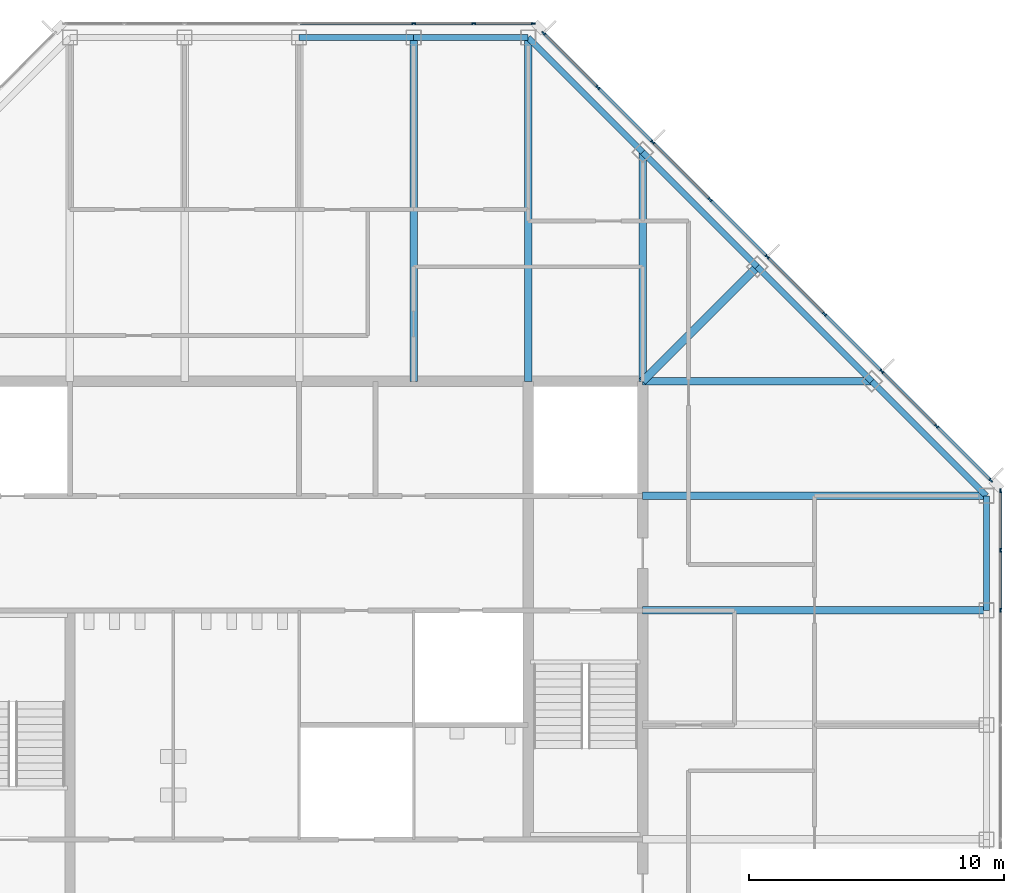
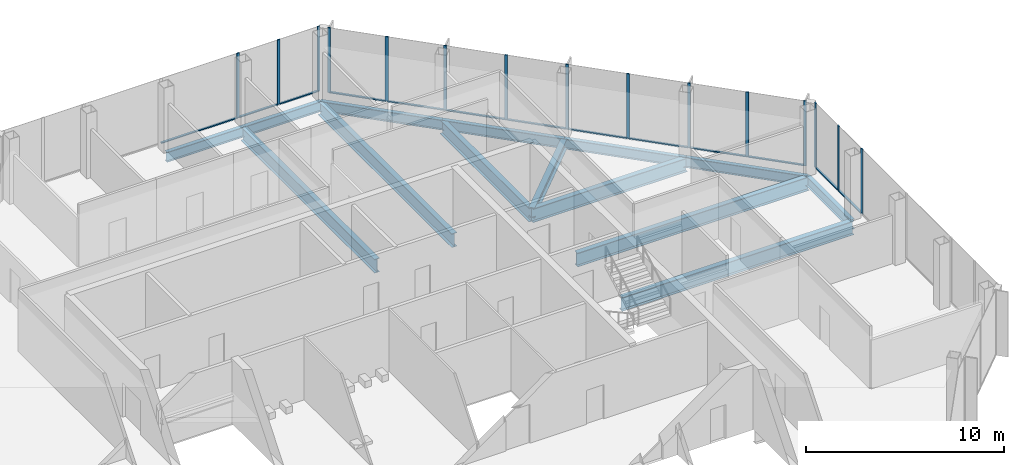
# One storey, part 7 of 14: 28 members, 14 beams, 3 elements without a shape of their own.
"""IFC4 building model written with IfcOpenShell, lengths in metres."""

from ifc_helpers import new_model, si_unit, direction, frame, origin, origin_2d, place, context, subcontext, project, spatial, rectangle, i_section, extrude, material, material_profile, profile_set, type_object, element, aggregate, save


model = new_model("IFC4")

# Units and contexts
model_context = context("Model", 3, precision=1e-05, world=origin(), true_north=direction((0.0, 1.0)))
body_context = subcontext(model_context, "Body", "Model", "MODEL_VIEW")
ifc_project = project(units=[si_unit("LENGTHUNIT", "METRE"), si_unit("AREAUNIT", "SQUARE_METRE"), si_unit("VOLUMEUNIT", "CUBIC_METRE"), si_unit("PLANEANGLEUNIT", "RADIAN"), si_unit("MASSUNIT", "GRAM", prefix="KILO")], contexts=[model_context])

# Site, building, storey
site_placement = place(None, origin())
site = spatial("IfcSite", under=ifc_project, at=site_placement, CompositionType="ELEMENT")
building_placement = place(site_placement, origin())
building = spatial("IfcBuilding", under=site, at=building_placement, Name="Corais Broadcast Tower", CompositionType="ELEMENT")
storey_placement = place(building_placement, frame((0.0, 0.0, 286.60009765625)))
storey = spatial("IfcBuildingStorey", under=building, at=storey_placement, Name="L67", CompositionType="ELEMENT", Elevation=286.60009765625)

# Beams
ifc_material_1 = material(Name="Steel ASTM A572 Grade 50", Category="steel")
ifc_material_profile_1 = material_profile(ifc_material_1, i_section(OverallWidth=0.323974609375, OverallDepth=0.611083984375, WebThickness=0.0126953125, FlangeThickness=0.01904296875, at=origin_2d()), Name="W610x155")
ifc_profile_set_1 = profile_set([ifc_material_profile_1], Name="Steel ASTM A572 Grade 50")
beam_type_1 = type_object("IfcBeamType", Name="Corner diagonal W610x155", PredefinedType="BEAM", material=ifc_profile_set_1)
beam_1_placement = place(storey_placement, frame((45.0, 45.0, -0.465576171875), z_axis=(-0.707106781187, -0.707106781187, 0.0), x_axis=(0.707106781187, -0.707106781187, 0.0)))
element("IfcBeam", 1, at=beam_1_placement, inside=storey, type_object=beam_type_1, Name="B6 L/13 to K/12", PredefinedType="BEAM", context=body_context, shape_type="SweptSolid", body=[
    extrude(i_section(OverallWidth=0.323974609375, OverallDepth=0.611083984375, WebThickness=0.0126953125, FlangeThickness=0.01904296875, at=origin_2d()), origin(), (0.0, 0.0, 1.0), 6.364013671875),
])
ifc_material_2 = material(Name="Steel ASTM A572 Grade 50", Category="steel")
ifc_material_profile_2 = material_profile(ifc_material_2, i_section(OverallWidth=0.2939453125, OverallDepth=0.85107421875, WebThickness=0.01611328125, FlangeThickness=0.02685546875, at=origin_2d()), Name="W840x226")
ifc_profile_set_2 = profile_set([ifc_material_profile_2], Name="Steel ASTM A572 Grade 50")
beam_type_2 = type_object("IfcBeamType", Name="Floor beam W840x226", PredefinedType="BEAM", material=ifc_profile_set_2)
for number, where, z_axis, x_axis, name in (
    (2, (31.5, 54.0, -0.585693359375), (0.0, -1.0, 0.0), (1.0, 0.0, 0.0), "B1 N/10 to K/10"),
    (3, (36.0, 54.0, -0.585693359375), (0.0, -1.0, 0.0), (1.0, 0.0, 0.0), "B1 N/11 to K/11"),
):
    element("IfcBeam", number, at=place(storey_placement, frame(where, z_axis=z_axis, x_axis=x_axis)), inside=storey, type_object=beam_type_2, Name=name, PredefinedType="BEAM", context=body_context, shape_type="SweptSolid", body=[
        extrude(i_section(OverallWidth=0.2939453125, OverallDepth=0.85107421875, WebThickness=0.01611328125, FlangeThickness=0.02685546875, at=origin_2d()), origin(), (0.0, 0.0, 1.0), 13.5),
    ])
for number, where, z_axis, x_axis, name in (
    (4, (40.5, 49.5, -0.585693359375), (0.0, -1.0, 0.0), (1.0, 0.0, 0.0), "B1 M/12 to K/12"),
    (5, (49.5, 40.5, -0.585693359375), (-1.0, 0.0, 0.0), (0.0, -1.0, 0.0), "B1 K/14 to K/12"),
):
    element("IfcBeam", number, at=place(storey_placement, frame(where, z_axis=z_axis, x_axis=x_axis)), inside=storey, type_object=beam_type_2, Name=name, PredefinedType="BEAM", context=body_context, shape_type="SweptSolid", body=[
        extrude(i_section(OverallWidth=0.2939453125, OverallDepth=0.85107421875, WebThickness=0.01611328125, FlangeThickness=0.02685546875, at=origin_2d()), origin(), (0.0, 0.0, 1.0), 9.0),
    ])
for number, where, z_axis, x_axis, name in (
    (6, (54.0, 31.5, -0.585693359375), (-1.0, 0.0, 0.0), (0.0, -1.0, 0.0), "B1 H/15 to H/12"),
    (7, (54.0, 36.0, -0.585693359375), (-1.0, 0.0, 0.0), (0.0, -1.0, 0.0), "B1 J/15 to J/12"),
):
    element("IfcBeam", number, at=place(storey_placement, frame(where, z_axis=z_axis, x_axis=x_axis)), inside=storey, type_object=beam_type_2, Name=name, PredefinedType="BEAM", context=body_context, shape_type="SweptSolid", body=[
        extrude(i_section(OverallWidth=0.2939453125, OverallDepth=0.85107421875, WebThickness=0.01611328125, FlangeThickness=0.02685546875, at=origin_2d()), origin(), (0.0, 0.0, 1.0), 13.5),
    ])

# Curtain wall, members
ifc_material_3 = material(Name="Aluminium and glass", Category="aluminium")
curtain_wall_type = type_object("IfcCurtainWallType", Name="Unitised fritted curtain wall CW3", PredefinedType="NOTDEFINED", material=ifc_material_3)
curtain_wall_1_placement = place(storey_placement, origin())
curtain_wall_1 = element("IfcCurtainWall", 8, at=curtain_wall_1_placement, inside=storey, type_object=curtain_wall_type, Name="CW3 curtain wall L67 4", PredefinedType="NOTDEFINED")
ifc_material_4 = material(Name="Aluminium 6063-T6", Category="aluminium")
ifc_material_profile_3 = material_profile(ifc_material_4, rectangle(XDim=0.06494140625, YDim=0.159912109375, at=origin_2d()), Name="Mullion CW3 65x160")
ifc_profile_set_3 = profile_set([ifc_material_profile_3], Name="Aluminium 6063-T6")
member_type_1 = type_object("IfcMemberType", Name="Mullion CW3 65x160", PredefinedType="MULLION", material=ifc_profile_set_3)
member_1_placement = place(storey_placement, frame((31.5, 54.550048828125, 0.0), z_axis=(0.0, 0.0, 1.0), x_axis=(0.0, 1.0, 0.0)))
member_1 = element("IfcMember", 9, at=member_1_placement, type_object=member_type_1, Name="CW3 mullion 5", PredefinedType="MULLION", context=body_context, shape_type="SweptSolid", body=[
    extrude(rectangle(XDim=0.06494140625, YDim=0.159912109375, at=origin_2d()), origin(), (0.0, 0.0, 1.0), 4.0),
])
member_2_placement = place(storey_placement, frame((33.864013671875, 54.550048828125, 0.0), z_axis=(0.0, 0.0, 1.0), x_axis=(0.0, 1.0, 0.0)))
member_2 = element("IfcMember", 10, at=member_2_placement, type_object=member_type_1, Name="CW3 mullion 6", PredefinedType="MULLION", context=body_context, shape_type="SweptSolid", body=[
    extrude(rectangle(XDim=0.06494140625, YDim=0.159912109375, at=origin_2d()), origin(), (0.0, 0.0, 1.0), 4.0),
])
member_3_placement = place(storey_placement, frame((36.1953125, 54.550048828125, 0.0), z_axis=(0.0, 0.0, 1.0), x_axis=(0.0, 1.0, 0.0)))
member_3 = element("IfcMember", 11, at=member_3_placement, type_object=member_type_1, Name="CW3 mullion 7", PredefinedType="MULLION", context=body_context, shape_type="SweptSolid", body=[
    extrude(rectangle(XDim=0.06494140625, YDim=0.159912109375, at=origin_2d()), origin(), (0.0, 0.0, 1.0), 4.0),
])

curtain_wall_2_placement = place(storey_placement, origin())
curtain_wall_2 = element("IfcCurtainWall", 12, at=curtain_wall_2_placement, inside=storey, type_object=curtain_wall_type, Name="CW3 curtain wall L67 5", PredefinedType="NOTDEFINED")
member_4_placement = place(storey_placement, frame((36.6044921875, 54.17333984375, 0.0), z_axis=(0.0, 0.0, 1.0), x_axis=(0.707106781187, 0.707106781187, 0.0)))
member_4 = element("IfcMember", 13, at=member_4_placement, type_object=member_type_1, Name="CW3 mullion 1", PredefinedType="MULLION", context=body_context, shape_type="SweptSolid", body=[
    extrude(rectangle(XDim=0.06494140625, YDim=0.159912109375, at=origin_2d()), origin(), (0.0, 0.0, 1.0), 4.0),
])
member_5_placement = place(storey_placement, frame((38.735107421875, 52.042724609375, 0.0), z_axis=(0.0, 0.0, 1.0), x_axis=(0.707106781187, 0.707106781187, 0.0)))
member_5 = element("IfcMember", 14, at=member_5_placement, type_object=member_type_1, Name="CW3 mullion 2", PredefinedType="MULLION", context=body_context, shape_type="SweptSolid", body=[
    extrude(rectangle(XDim=0.06494140625, YDim=0.159912109375, at=origin_2d()), origin(), (0.0, 0.0, 1.0), 4.0),
])
member_6_placement = place(storey_placement, frame((40.888916015625, 49.888916015625, 0.0), z_axis=(0.0, 0.0, 1.0), x_axis=(0.707106781187, 0.707106781187, 0.0)))
member_6 = element("IfcMember", 15, at=member_6_placement, type_object=member_type_1, Name="CW3 mullion 3", PredefinedType="MULLION", context=body_context, shape_type="SweptSolid", body=[
    extrude(rectangle(XDim=0.06494140625, YDim=0.159912109375, at=origin_2d()), origin(), (0.0, 0.0, 1.0), 4.0),
])
member_7_placement = place(storey_placement, frame((43.138916015625, 47.638916015625, 0.0), z_axis=(0.0, 0.0, 1.0), x_axis=(0.707106781187, 0.707106781187, 0.0)))
member_7 = element("IfcMember", 16, at=member_7_placement, type_object=member_type_1, Name="CW3 mullion 4", PredefinedType="MULLION", context=body_context, shape_type="SweptSolid", body=[
    extrude(rectangle(XDim=0.06494140625, YDim=0.159912109375, at=origin_2d()), origin(), (0.0, 0.0, 1.0), 4.0),
])
member_8_placement = place(storey_placement, frame((45.388916015625, 45.388916015625, 0.0), z_axis=(0.0, 0.0, 1.0), x_axis=(0.707106781187, 0.707106781187, 0.0)))
member_8 = element("IfcMember", 17, at=member_8_placement, type_object=member_type_1, Name="CW3 mullion 5", PredefinedType="MULLION", context=body_context, shape_type="SweptSolid", body=[
    extrude(rectangle(XDim=0.06494140625, YDim=0.159912109375, at=origin_2d()), origin(), (0.0, 0.0, 1.0), 4.0),
])
member_9_placement = place(storey_placement, frame((47.638916015625, 43.138916015625, 0.0), z_axis=(0.0, 0.0, 1.0), x_axis=(0.707106781187, 0.707106781187, 0.0)))
member_9 = element("IfcMember", 18, at=member_9_placement, type_object=member_type_1, Name="CW3 mullion 6", PredefinedType="MULLION", context=body_context, shape_type="SweptSolid", body=[
    extrude(rectangle(XDim=0.06494140625, YDim=0.159912109375, at=origin_2d()), origin(), (0.0, 0.0, 1.0), 4.0),
])
member_10_placement = place(storey_placement, frame((49.888916015625, 40.888916015625, 0.0), z_axis=(0.0, 0.0, 1.0), x_axis=(0.707106781187, 0.707106781187, 0.0)))
member_10 = element("IfcMember", 19, at=member_10_placement, type_object=member_type_1, Name="CW3 mullion 7", PredefinedType="MULLION", context=body_context, shape_type="SweptSolid", body=[
    extrude(rectangle(XDim=0.06494140625, YDim=0.159912109375, at=origin_2d()), origin(), (0.0, 0.0, 1.0), 4.0),
])
member_11_placement = place(storey_placement, frame((52.042724609375, 38.735107421875, 0.0), z_axis=(0.0, 0.0, 1.0), x_axis=(0.707106781187, 0.707106781187, 0.0)))
member_11 = element("IfcMember", 20, at=member_11_placement, type_object=member_type_1, Name="CW3 mullion 8", PredefinedType="MULLION", context=body_context, shape_type="SweptSolid", body=[
    extrude(rectangle(XDim=0.06494140625, YDim=0.159912109375, at=origin_2d()), origin(), (0.0, 0.0, 1.0), 4.0),
])
member_12_placement = place(storey_placement, frame((54.17333984375, 36.6044921875, 0.0), z_axis=(0.0, 0.0, 1.0), x_axis=(0.707106781187, 0.707106781187, 0.0)))
member_12 = element("IfcMember", 21, at=member_12_placement, type_object=member_type_1, Name="CW3 mullion 9", PredefinedType="MULLION", context=body_context, shape_type="SweptSolid", body=[
    extrude(rectangle(XDim=0.06494140625, YDim=0.159912109375, at=origin_2d()), origin(), (0.0, 0.0, 1.0), 4.0),
])

curtain_wall_3_placement = place(storey_placement, origin())
curtain_wall_3 = element("IfcCurtainWall", 22, at=curtain_wall_3_placement, inside=storey, type_object=curtain_wall_type, Name="CW3 curtain wall L67 6", PredefinedType="NOTDEFINED")
member_13_placement = place(storey_placement, frame((54.550048828125, 36.1953125, 0.0), z_axis=(0.0, 0.0, 1.0), x_axis=(1.0, 0.0, 0.0)))
member_13 = element("IfcMember", 23, at=member_13_placement, type_object=member_type_1, Name="CW3 mullion 1", PredefinedType="MULLION", context=body_context, shape_type="SweptSolid", body=[
    extrude(rectangle(XDim=0.06494140625, YDim=0.159912109375, at=origin_2d()), origin(), (0.0, 0.0, 1.0), 4.0),
])
member_14_placement = place(storey_placement, frame((54.550048828125, 33.864013671875, 0.0), z_axis=(0.0, 0.0, 1.0), x_axis=(1.0, 0.0, 0.0)))
member_14 = element("IfcMember", 24, at=member_14_placement, type_object=member_type_1, Name="CW3 mullion 2", PredefinedType="MULLION", context=body_context, shape_type="SweptSolid", body=[
    extrude(rectangle(XDim=0.06494140625, YDim=0.159912109375, at=origin_2d()), origin(), (0.0, 0.0, 1.0), 4.0),
])
member_15_placement = place(storey_placement, frame((54.550048828125, 31.5, 0.0), z_axis=(0.0, 0.0, 1.0), x_axis=(1.0, 0.0, 0.0)))
member_15 = element("IfcMember", 25, at=member_15_placement, type_object=member_type_1, Name="CW3 mullion 3", PredefinedType="MULLION", context=body_context, shape_type="SweptSolid", body=[
    extrude(rectangle(XDim=0.06494140625, YDim=0.159912109375, at=origin_2d()), origin(), (0.0, 0.0, 1.0), 4.0),
])

# Beams
ifc_material_5 = material(Name="Steel ASTM A572 Grade 50", Category="steel")
ifc_material_profile_4 = material_profile(ifc_material_5, i_section(OverallWidth=0.22998046875, OverallDepth=0.616943359375, WebThickness=0.01318359375, FlangeThickness=0.022216796875, at=origin_2d()), Name="W610x140")
ifc_profile_set_4 = profile_set([ifc_material_profile_4], Name="Steel ASTM A572 Grade 50")
beam_type_3 = type_object("IfcBeamType", Name="Spandrel W610x140", PredefinedType="BEAM", material=ifc_profile_set_4)
for number, where, z_axis, x_axis, name in (
    (26, (31.5, 54.0, -0.468505859375), (-1.0, 0.0, 0.0), (0.0, -1.0, 0.0), "SB3 N/10 to N/9"),
    (27, (36.0, 54.0, -0.468505859375), (-1.0, 0.0, 0.0), (0.0, -1.0, 0.0), "SB3 N/11 to N/10"),
):
    element("IfcBeam", number, at=place(storey_placement, frame(where, z_axis=z_axis, x_axis=x_axis)), inside=storey, type_object=beam_type_3, Name=name, PredefinedType="BEAM", context=body_context, shape_type="SweptSolid", body=[
        extrude(i_section(OverallWidth=0.22998046875, OverallDepth=0.616943359375, WebThickness=0.01318359375, FlangeThickness=0.022216796875, at=origin_2d()), origin(), (0.0, 0.0, 1.0), 4.5),
    ])
for number, where, z_axis, x_axis, name in (
    (28, (40.5, 49.5, -0.468505859375), (-0.707106781187, 0.707106781187, 0.0), (-0.707106781187, -0.707106781187, 0.0), "SB3 M/12 to N/11"),
    (29, (45.0, 45.0, -0.468505859375), (-0.707106781187, 0.707106781187, 0.0), (-0.707106781187, -0.707106781187, 0.0), "SB3 L/13 to M/12"),
    (30, (49.5, 40.5, -0.468505859375), (-0.707106781187, 0.707106781187, 0.0), (-0.707106781187, -0.707106781187, 0.0), "SB3 K/14 to L/13"),
):
    element("IfcBeam", number, at=place(storey_placement, frame(where, z_axis=z_axis, x_axis=x_axis)), inside=storey, type_object=beam_type_3, Name=name, PredefinedType="BEAM", context=body_context, shape_type="SweptSolid", body=[
        extrude(i_section(OverallWidth=0.22998046875, OverallDepth=0.616943359375, WebThickness=0.01318359375, FlangeThickness=0.022216796875, at=origin_2d()), origin(), (0.0, 0.0, 1.0), 6.364013671875),
    ])
beam_2_placement = place(storey_placement, frame((54.0, 31.5, -0.468505859375), z_axis=(0.0, 1.0, 0.0), x_axis=(-1.0, 0.0, 0.0)))
element("IfcBeam", 31, at=beam_2_placement, inside=storey, type_object=beam_type_3, Name="SB3 H/15 to J/15", PredefinedType="BEAM", context=body_context, shape_type="SweptSolid", body=[
    extrude(i_section(OverallWidth=0.22998046875, OverallDepth=0.616943359375, WebThickness=0.01318359375, FlangeThickness=0.022216796875, at=origin_2d()), origin(), (0.0, 0.0, 1.0), 4.5),
])
beam_3_placement = place(storey_placement, frame((54.0, 36.0, -0.468505859375), z_axis=(-0.707106781187, 0.707106781187, 0.0), x_axis=(-0.707106781187, -0.707106781187, 0.0)))
element("IfcBeam", 32, at=beam_3_placement, inside=storey, type_object=beam_type_3, Name="SB3 J/15 to K/14", PredefinedType="BEAM", context=body_context, shape_type="SweptSolid", body=[
    extrude(i_section(OverallWidth=0.22998046875, OverallDepth=0.616943359375, WebThickness=0.01318359375, FlangeThickness=0.022216796875, at=origin_2d()), origin(), (0.0, 0.0, 1.0), 6.364013671875),
])

# Member
ifc_material_6 = material(Name="Aluminium 6063-T6", Category="aluminium")
ifc_material_profile_5 = material_profile(ifc_material_6, rectangle(XDim=0.1201171875, YDim=0.06494140625, at=origin_2d()), Name="Transom CW3 65x120")
ifc_profile_set_5 = profile_set([ifc_material_profile_5], Name="Aluminium 6063-T6")
member_type_2 = type_object("IfcMemberType", Name="Transom CW3 65x120", PredefinedType="USERDEFINED", material=ifc_profile_set_5)
member_16_placement = place(storey_placement, frame((27.032470703125, 54.550048828125, 0.032470703125), z_axis=(1.0, 0.0, 0.0), x_axis=(0.0, 1.0, 0.0)))
member_16 = element("IfcMember", 33, at=member_16_placement, type_object=member_type_2, Name="CW3 transom 4.1", ObjectType="TRANSOM", PredefinedType="USERDEFINED", context=body_context, shape_type="SweptSolid", body=[
    extrude(rectangle(XDim=0.1201171875, YDim=0.06494140625, at=origin_2d()), origin(), (0.0, 0.0, 1.0), 4.43505859375),
])

member_17_placement = place(storey_placement, frame((31.532470703125, 54.550048828125, 0.032470703125), z_axis=(1.0, 0.0, 0.0), x_axis=(0.0, 1.0, 0.0)))
member_17 = element("IfcMember", 34, at=member_17_placement, type_object=member_type_2, Name="CW3 transom 5.1", ObjectType="TRANSOM", PredefinedType="USERDEFINED", context=body_context, shape_type="SweptSolid", body=[
    extrude(rectangle(XDim=0.1201171875, YDim=0.06494140625, at=origin_2d()), origin(), (0.0, 0.0, 1.0), 2.298828125),
])

member_18_placement = place(storey_placement, frame((33.896484375, 54.550048828125, 0.032470703125), z_axis=(1.0, 0.0, 0.0), x_axis=(0.0, 1.0, 0.0)))
member_18 = element("IfcMember", 35, at=member_18_placement, type_object=member_type_2, Name="CW3 transom 6.1", ObjectType="TRANSOM", PredefinedType="USERDEFINED", context=body_context, shape_type="SweptSolid", body=[
    extrude(rectangle(XDim=0.1201171875, YDim=0.06494140625, at=origin_2d()), origin(), (0.0, 0.0, 1.0), 2.266357421875),
])

aggregate(curtain_wall_1, [member_1, member_2, member_3, member_16, member_17, member_18])

member_19_placement = place(storey_placement, frame((36.62744140625, 54.150390625, 0.032470703125), z_axis=(0.707106781187, -0.707106781187, 0.0), x_axis=(0.707106781187, 0.707106781187, 0.0)))
member_19 = element("IfcMember", 36, at=member_19_placement, type_object=member_type_2, Name="CW3 transom 1.1", ObjectType="TRANSOM", PredefinedType="USERDEFINED", context=body_context, shape_type="SweptSolid", body=[
    extrude(rectangle(XDim=0.1201171875, YDim=0.06494140625, at=origin_2d()), origin(), (0.0, 0.0, 1.0), 2.9482421875),
])

member_20_placement = place(storey_placement, frame((38.758056640625, 52.019775390625, 0.032470703125), z_axis=(0.707106781187, -0.707106781187, 0.0), x_axis=(0.707106781187, 0.707106781187, 0.0)))
member_20 = element("IfcMember", 37, at=member_20_placement, type_object=member_type_2, Name="CW3 transom 2.1", ObjectType="TRANSOM", PredefinedType="USERDEFINED", context=body_context, shape_type="SweptSolid", body=[
    extrude(rectangle(XDim=0.1201171875, YDim=0.06494140625, at=origin_2d()), origin(), (0.0, 0.0, 1.0), 2.98095703125),
])

member_21_placement = place(storey_placement, frame((40.911865234375, 49.865966796875, 0.032470703125), z_axis=(0.707106781187, -0.707106781187, 0.0), x_axis=(0.707106781187, 0.707106781187, 0.0)))
member_21 = element("IfcMember", 38, at=member_21_placement, type_object=member_type_2, Name="CW3 transom 3.1", ObjectType="TRANSOM", PredefinedType="USERDEFINED", context=body_context, shape_type="SweptSolid", body=[
    extrude(rectangle(XDim=0.1201171875, YDim=0.06494140625, at=origin_2d()), origin(), (0.0, 0.0, 1.0), 3.1171875),
])

member_22_placement = place(storey_placement, frame((43.161865234375, 47.615966796875, 0.032470703125), z_axis=(0.707106781187, -0.707106781187, 0.0), x_axis=(0.707106781187, 0.707106781187, 0.0)))
member_22 = element("IfcMember", 39, at=member_22_placement, type_object=member_type_2, Name="CW3 transom 4.1", ObjectType="TRANSOM", PredefinedType="USERDEFINED", context=body_context, shape_type="SweptSolid", body=[
    extrude(rectangle(XDim=0.1201171875, YDim=0.06494140625, at=origin_2d()), origin(), (0.0, 0.0, 1.0), 3.1171875),
])

member_23_placement = place(storey_placement, frame((45.411865234375, 45.365966796875, 0.032470703125), z_axis=(0.707106781187, -0.707106781187, 0.0), x_axis=(0.707106781187, 0.707106781187, 0.0)))
member_23 = element("IfcMember", 40, at=member_23_placement, type_object=member_type_2, Name="CW3 transom 5.1", ObjectType="TRANSOM", PredefinedType="USERDEFINED", context=body_context, shape_type="SweptSolid", body=[
    extrude(rectangle(XDim=0.1201171875, YDim=0.06494140625, at=origin_2d()), origin(), (0.0, 0.0, 1.0), 3.1171875),
])

member_24_placement = place(storey_placement, frame((47.661865234375, 43.115966796875, 0.032470703125), z_axis=(0.707106781187, -0.707106781187, 0.0), x_axis=(0.707106781187, 0.707106781187, 0.0)))
member_24 = element("IfcMember", 41, at=member_24_placement, type_object=member_type_2, Name="CW3 transom 6.1", ObjectType="TRANSOM", PredefinedType="USERDEFINED", context=body_context, shape_type="SweptSolid", body=[
    extrude(rectangle(XDim=0.1201171875, YDim=0.06494140625, at=origin_2d()), origin(), (0.0, 0.0, 1.0), 3.1171875),
])

member_25_placement = place(storey_placement, frame((49.911865234375, 40.865966796875, 0.032470703125), z_axis=(0.707065828661, -0.70714773134, 0.0), x_axis=(0.70714773134, 0.707065828661, 0.0)))
member_25 = element("IfcMember", 42, at=member_25_placement, type_object=member_type_2, Name="CW3 transom 7.1", ObjectType="TRANSOM", PredefinedType="USERDEFINED", context=body_context, shape_type="SweptSolid", body=[
    extrude(rectangle(XDim=0.1201171875, YDim=0.06494140625, at=origin_2d()), origin(), (0.0, 0.0, 1.0), 2.98095703125),
])

member_26_placement = place(storey_placement, frame((52.065673828125, 38.712158203125, 0.032470703125), z_axis=(0.707106781187, -0.707106781187, 0.0), x_axis=(0.707106781187, 0.707106781187, 0.0)))
member_26 = element("IfcMember", 43, at=member_26_placement, type_object=member_type_2, Name="CW3 transom 8.1", ObjectType="TRANSOM", PredefinedType="USERDEFINED", context=body_context, shape_type="SweptSolid", body=[
    extrude(rectangle(XDim=0.1201171875, YDim=0.06494140625, at=origin_2d()), origin(), (0.0, 0.0, 1.0), 2.9482421875),
])

aggregate(curtain_wall_2, [member_4, member_5, member_6, member_7, member_8, member_9, member_10, member_11, member_12, member_19, member_20, member_21, member_22, member_23, member_24, member_25, member_26])

member_27_placement = place(storey_placement, frame((54.550048828125, 36.162841796875, 0.032470703125), z_axis=(0.0, -1.0, 0.0), x_axis=(1.0, 0.0, 0.0)))
member_27 = element("IfcMember", 44, at=member_27_placement, type_object=member_type_2, Name="CW3 transom 1.1", ObjectType="TRANSOM", PredefinedType="USERDEFINED", context=body_context, shape_type="SweptSolid", body=[
    extrude(rectangle(XDim=0.1201171875, YDim=0.06494140625, at=origin_2d()), origin(), (0.0, 0.0, 1.0), 2.266357421875),
])

member_28_placement = place(storey_placement, frame((54.550048828125, 33.831298828125, 0.032470703125), z_axis=(0.0, -1.0, 0.0), x_axis=(1.0, 0.0, 0.0)))
member_28 = element("IfcMember", 45, at=member_28_placement, type_object=member_type_2, Name="CW3 transom 2.1", ObjectType="TRANSOM", PredefinedType="USERDEFINED", context=body_context, shape_type="SweptSolid", body=[
    extrude(rectangle(XDim=0.1201171875, YDim=0.06494140625, at=origin_2d()), origin(), (0.0, 0.0, 1.0), 2.298828125),
])

aggregate(curtain_wall_3, [member_13, member_14, member_15, member_27, member_28])

save(model, "model.ifc")
